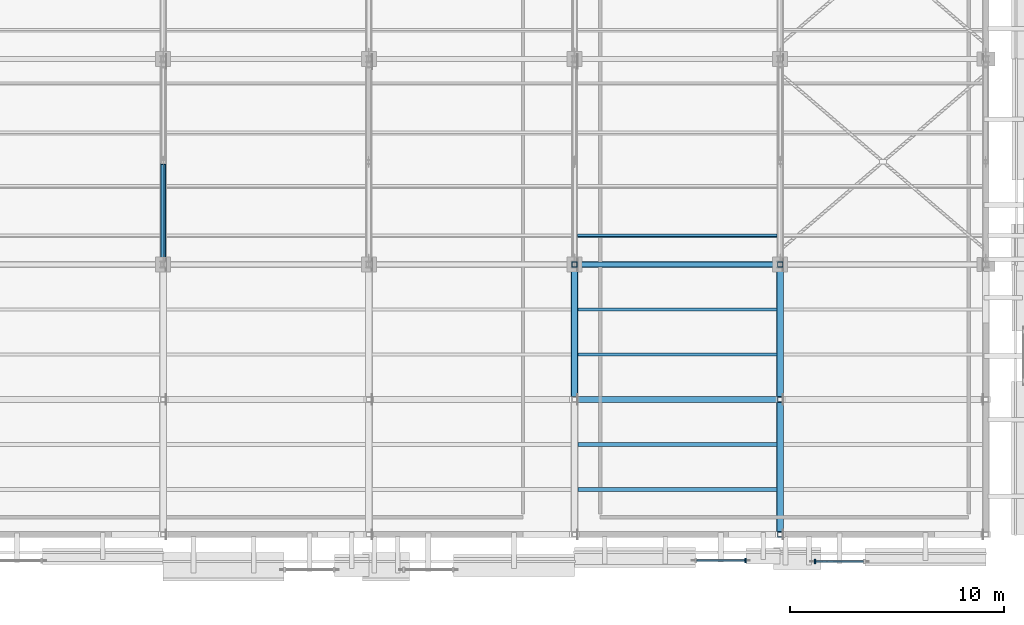
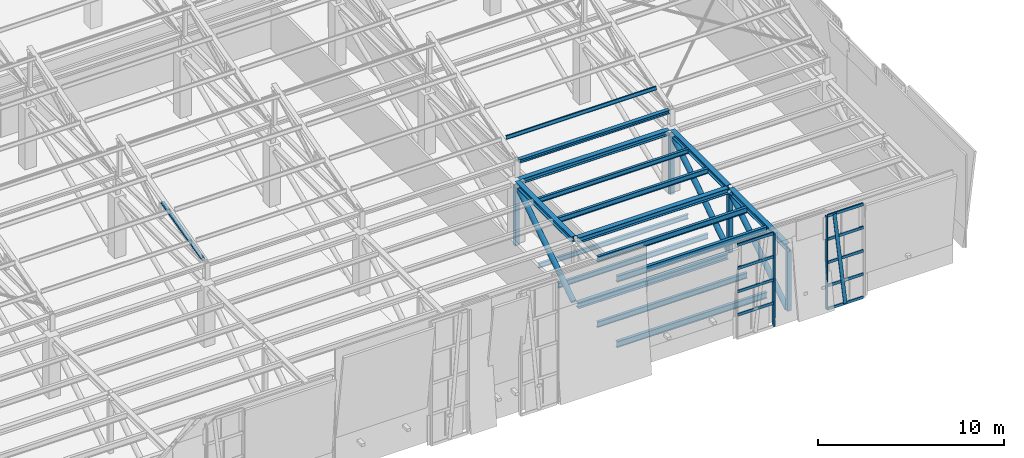
# One storey, part 16 of 71: 24 members, 12 beams, 2 elements without a shape of their own.
"""IFC4 building model written with IfcOpenShell, lengths in metres."""

from ifc_helpers import new_model, si_unit, direction, frame, origin, origin_2d, place, context, subcontext, project, spatial, rectangle, hollow_rectangle, hollow_circle, i_section, extrude, material, layer, layer_set, material_profile, profile_set, type_object, element, aggregate, save


model = new_model("IFC4")

# Units and contexts
model_context = context("Model", 3, precision=1e-05, world=origin(), true_north=direction((0.0, 1.0)))
body_context = subcontext(model_context, "Body", "Model", "MODEL_VIEW")
ifc_project = project(units=[si_unit("LENGTHUNIT", "METRE"), si_unit("AREAUNIT", "SQUARE_METRE"), si_unit("VOLUMEUNIT", "CUBIC_METRE"), si_unit("PLANEANGLEUNIT", "RADIAN"), si_unit("MASSUNIT", "GRAM", prefix="KILO")], contexts=[model_context])

# Site, building, storey
site_placement = place(None, origin())
site = spatial("IfcSite", under=ifc_project, at=site_placement, CompositionType="ELEMENT")
building_placement = place(site_placement, origin())
building = spatial("IfcBuilding", under=site, at=building_placement, Name="Bempovik Park Faculty of Sciences", CompositionType="ELEMENT")
storey_placement = place(building_placement, frame((0.0, 0.0, 14.10009765625)))
storey = spatial("IfcBuildingStorey", under=building, at=storey_placement, Name="L03", CompositionType="ELEMENT", Elevation=14.10009765625)

# Beams
ifc_material_1 = material(Name="Steel S355", Category="steel")
ifc_material_profile_1 = material_profile(ifc_material_1, i_section(OverallWidth=0.300048828125, OverallDepth=0.320068359375, WebThickness=0.011474609375, FlangeThickness=0.0205078125, at=origin_2d()), Name="HEB 320")
ifc_profile_set_1 = profile_set([ifc_material_profile_1], Name="Steel S355")
beam_type_1 = type_object("IfcBeamType", Name="B-018 HEB 320", PredefinedType="BEAM", material=ifc_profile_set_1)
beam_1_placement = place(storey_placement, frame((98.555908203125, 19.800048828125, 3.81982421875), z_axis=(1.0, 0.0, 0.0), x_axis=(0.0, 1.0, 0.0)))
element("IfcBeam", 1, at=beam_1_placement, inside=storey, type_object=beam_type_1, Name="Cantilever Collector Beam APR (98.4-108.0, y=19.8)", PredefinedType="BEAM", context=body_context, shape_type="SweptSolid", body=[
    extrude(i_section(OverallWidth=0.300048828125, OverallDepth=0.320068359375, WebThickness=0.011474609375, FlangeThickness=0.0205078125, at=origin_2d()), origin(), (0.0, 0.0, 1.0), 9.2880859375),
])
ifc_material_profile_2 = material_profile(ifc_material_1, i_section(OverallWidth=0.239990234375, OverallDepth=0.239990234375, WebThickness=0.010009765625, FlangeThickness=0.01708984375, at=origin_2d()), Name="HEB 240")
ifc_profile_set_2 = profile_set([ifc_material_profile_2], Name="Steel S355")
beam_type_2 = type_object("IfcBeamType", Name="B-042 HEB 240", PredefinedType="BEAM", material=ifc_profile_set_2)
beam_2_placement = place(storey_placement, frame((98.550048828125, 19.800048828125, 5.14990234375), z_axis=(1.0, 0.0, 0.0), x_axis=(0.0, 1.0, 0.0)))
element("IfcBeam", 2, at=beam_2_placement, inside=storey, type_object=beam_type_2, Name="Sawtooth Valley Tie Beam V1-B1 (98.4-108.0)", PredefinedType="BEAM", context=body_context, shape_type="SweptSolid", body=[
    extrude(i_section(OverallWidth=0.239990234375, OverallDepth=0.239990234375, WebThickness=0.010009765625, FlangeThickness=0.01708984375, at=origin_2d()), origin(), (0.0, 0.0, 1.0), 9.300048828125),
])
ifc_material_profile_3 = material_profile(ifc_material_1, i_section(OverallWidth=0.14990234375, OverallDepth=0.300048828125, WebThickness=0.007080078125, FlangeThickness=0.0107421875, at=origin_2d()), Name="IPE 300")
ifc_profile_set_3 = profile_set([ifc_material_profile_3], Name="Steel S355")
beam_type_3 = type_object("IfcBeamType", Name="B-043 IPE 300", PredefinedType="JOIST", material=ifc_profile_set_3)
for number, where, z_axis, x_axis, name in (
    (3, (98.555908203125, 17.699951171875, -0.4501953125), (1.0, 0.0, 0.0), (0.0, 1.0, 0.0), "Cantilever Floor Joist L03 (98.4-108.0, y=17.7)"),
    (4, (98.555908203125, 17.699951171875, 3.829833984375), (1.0, 0.0, 0.0), (0.0, 1.0, 0.0), "Cantilever Floor Joist APR (98.4-108.0, y=17.7)"),
):
    element("IfcBeam", number, at=place(storey_placement, frame(where, z_axis=z_axis, x_axis=x_axis)), inside=storey, type_object=beam_type_3, Name=name, PredefinedType="JOIST", context=body_context, shape_type="SweptSolid", body=[
        extrude(i_section(OverallWidth=0.14990234375, OverallDepth=0.300048828125, WebThickness=0.007080078125, FlangeThickness=0.0107421875, at=origin_2d()), origin(), (0.0, 0.0, 1.0), 9.2880859375),
    ])
ifc_material_profile_4 = material_profile(ifc_material_1, i_section(OverallWidth=0.300048828125, OverallDepth=0.360107421875, WebThickness=0.012451171875, FlangeThickness=0.0224609375, at=origin_2d()), Name="HEB 360")
ifc_profile_set_4 = profile_set([ifc_material_profile_4], Name="Steel S355")
beam_type_4 = type_object("IfcBeamType", Name="B-102 HEB 360", PredefinedType="BEAM", material=ifc_profile_set_4)
for number, where, z_axis, x_axis, name in (
    (5, (98.555908203125, 13.5, -0.47998046875), (1.0, 0.0, 0.0), (0.0, 1.0, 0.0), "Cantilever Collector Beam L03 (98.4-108.0, y=13.5)"),
    (6, (98.555908203125, 13.5, 3.7998046875), (1.0, 0.0, 0.0), (0.0, 1.0, 0.0), "Cantilever Collector Beam APR (98.4-108.0, y=13.5)"),
):
    element("IfcBeam", number, at=place(storey_placement, frame(where, z_axis=z_axis, x_axis=x_axis)), inside=storey, type_object=beam_type_4, Name=name, PredefinedType="BEAM", context=body_context, shape_type="SweptSolid", body=[
        extrude(i_section(OverallWidth=0.300048828125, OverallDepth=0.360107421875, WebThickness=0.012451171875, FlangeThickness=0.0224609375, at=origin_2d()), origin(), (0.0, 0.0, 1.0), 9.2880859375),
    ])
ifc_material_profile_5 = material_profile(ifc_material_1, i_section(OverallWidth=0.169921875, OverallDepth=0.360107421875, WebThickness=0.008056640625, FlangeThickness=0.0126953125, at=origin_2d()), Name="IPE 360")
ifc_profile_set_5 = profile_set([ifc_material_profile_5], Name="Steel S355")
beam_type_5 = type_object("IfcBeamType", Name="B-103 IPE 360", PredefinedType="JOIST", material=ifc_profile_set_5)
for number, where, z_axis, x_axis, name in (
    (7, (98.555908203125, 11.39990234375, -0.47998046875), (1.0, 0.0, 0.0), (0.0, 1.0, 0.0), "Cantilever Floor Joist L03 (98.4-108.0, y=11.4)"),
    (8, (98.555908203125, 11.39990234375, 3.7998046875), (1.0, 0.0, 0.0), (0.0, 1.0, 0.0), "Cantilever Floor Joist APR (98.4-108.0, y=11.4)"),
):
    element("IfcBeam", number, at=place(storey_placement, frame(where, z_axis=z_axis, x_axis=x_axis)), inside=storey, type_object=beam_type_5, Name=name, PredefinedType="JOIST", context=body_context, shape_type="SweptSolid", body=[
        extrude(i_section(OverallWidth=0.169921875, OverallDepth=0.360107421875, WebThickness=0.008056640625, FlangeThickness=0.0126953125, at=origin_2d()), origin(), (0.0, 0.0, 1.0), 9.2880859375),
    ])
ifc_material_profile_6 = material_profile(ifc_material_1, i_section(OverallWidth=0.179931640625, OverallDepth=0.39990234375, WebThickness=0.008544921875, FlangeThickness=0.013427734375, at=origin_2d()), Name="IPE 400")
ifc_profile_set_6 = profile_set([ifc_material_profile_6], Name="Steel S355")
beam_type_6 = type_object("IfcBeamType", Name="B-111 IPE 400", PredefinedType="BEAM", material=ifc_profile_set_6)
for number, where, z_axis, x_axis, name in (
    (9, (98.555908203125, 9.300048828125, -0.5), (1.0, 0.0, 0.0), (0.0, 1.0, 0.0), "Cantilever Floor Joist L03 (98.4-108.0, y=9.3)"),
    (10, (98.555908203125, 9.300048828125, 3.77978515625), (1.0, 0.0, 0.0), (0.0, 1.0, 0.0), "Cantilever Floor Joist APR (98.4-108.0, y=9.3)"),
):
    element("IfcBeam", number, at=place(storey_placement, frame(where, z_axis=z_axis, x_axis=x_axis)), inside=storey, type_object=beam_type_6, Name=name, PredefinedType="BEAM", context=body_context, shape_type="SweptSolid", body=[
        extrude(i_section(OverallWidth=0.179931640625, OverallDepth=0.39990234375, WebThickness=0.008544921875, FlangeThickness=0.013427734375, at=origin_2d()), origin(), (0.0, 0.0, 1.0), 9.2880859375),
    ])
ifc_material_profile_7 = material_profile(ifc_material_1, i_section(OverallWidth=0.159912109375, OverallDepth=0.330078125, WebThickness=0.007568359375, FlangeThickness=0.011474609375, at=origin_2d()), Name="IPE 330")
ifc_profile_set_7 = profile_set([ifc_material_profile_7], Name="Steel S355")
beam_type_7 = type_object("IfcBeamType", Name="B-126 IPE 330", PredefinedType="BEAM", material=ifc_profile_set_7)
for number, where, z_axis, x_axis, name in (
    (11, (98.555908203125, 15.60009765625, -0.465087890625), (1.0, 0.0, 0.0), (0.0, 1.0, 0.0), "Cantilever Floor Joist L03 (98.4-108.0, y=15.6)"),
    (12, (98.555908203125, 15.60009765625, 3.81494140625), (1.0, 0.0, 0.0), (0.0, 1.0, 0.0), "Cantilever Floor Joist APR (98.4-108.0, y=15.6)"),
):
    element("IfcBeam", number, at=place(storey_placement, frame(where, z_axis=z_axis, x_axis=x_axis)), inside=storey, type_object=beam_type_7, Name=name, PredefinedType="BEAM", context=body_context, shape_type="SweptSolid", body=[
        extrude(i_section(OverallWidth=0.159912109375, OverallDepth=0.330078125, WebThickness=0.007568359375, FlangeThickness=0.011474609375, at=origin_2d()), origin(), (0.0, 0.0, 1.0), 9.2880859375),
    ])

# Members
ifc_material_profile_8 = material_profile(ifc_material_1, i_section(OverallWidth=0.110107421875, OverallDepth=0.219970703125, WebThickness=0.005859375, FlangeThickness=0.00927734375, at=origin_2d()), Name="IPE 220")
ifc_profile_set_8 = profile_set([ifc_material_profile_8], Name="Steel S355")
member_type_1 = type_object("IfcMemberType", Name="M-18 IPE 220", PredefinedType="PURLIN", material=ifc_profile_set_8)
member_1_placement = place(storey_placement, frame((98.5458984375, 21.14404296875, 5.847412109375), z_axis=(1.0, 0.0, 0.0), x_axis=(0.0, 0.965925826289, -0.258819045103)))
element("IfcMember", 13, at=member_1_placement, inside=storey, type_object=member_type_1, Name="Sawtooth Roof Purlin V1-B1 (98.4-108.0) #1", PredefinedType="PURLIN", context=body_context, shape_type="SweptSolid", body=[
    extrude(i_section(OverallWidth=0.110107421875, OverallDepth=0.219970703125, WebThickness=0.005859375, FlangeThickness=0.00927734375, at=origin_2d()), origin(), (0.0, 0.0, 1.0), 9.30810546875),
])
ifc_material_profile_9 = material_profile(ifc_material_1, i_section(OverallWidth=0.300048828125, OverallDepth=0.360107421875, WebThickness=0.012451171875, FlangeThickness=0.0224609375, at=origin_2d()), Name="HEB 360")
ifc_profile_set_9 = profile_set([ifc_material_profile_9], Name="Steel S355")
member_type_2 = type_object("IfcMemberType", Name="M-23 HEB 360", PredefinedType="CHORD", material=ifc_profile_set_9)
for number, where, z_axis, x_axis, name in (
    (14, (98.39990234375, 13.632080078125, 3.7998046875), (0.0, 1.0, 0.0), (-1.0, 0.0, 0.0), "Cantilever Truss 5 Top Chord 2"),
    (15, (108.0, 7.33203125, 3.7998046875), (0.0, 1.0, 0.0), (-1.0, 0.0, 0.0), "Cantilever Truss 6 Top Chord 1"),
    (16, (108.0, 13.632080078125, 3.7998046875), (0.0, 1.0, 0.0), (-1.0, 0.0, 0.0), "Cantilever Truss 6 Top Chord 2"),
):
    element("IfcMember", number, at=place(storey_placement, frame(where, z_axis=z_axis, x_axis=x_axis)), inside=storey, type_object=member_type_2, Name=name, PredefinedType="CHORD", context=body_context, shape_type="SweptSolid", body=[
        extrude(i_section(OverallWidth=0.300048828125, OverallDepth=0.360107421875, WebThickness=0.012451171875, FlangeThickness=0.0224609375, at=origin_2d()), origin(), (0.0, 0.0, 1.0), 6.035888671875),
    ])
ifc_material_profile_10 = material_profile(ifc_material_1, hollow_circle(Radius=0.161865234375, WallThickness=0.01611328125, at=origin_2d()), Name="CHS 323.9x16")
ifc_profile_set_10 = profile_set([ifc_material_profile_10], Name="Steel S355")
member_type_3 = type_object("IfcMemberType", Name="M-38 CHS 323.9x16", PredefinedType="BRACE", material=ifc_profile_set_10)
for number, where, z_axis, x_axis, name in (
    (17, (98.39990234375, 13.635009765625, -0.294189453125), (0.0, 0.83916246283, 0.543880833434), (-1.0, 0.0, 0.0), "Cantilever Truss 5 L03 Diagonal 2"),
    (18, (108.0, 7.3349609375, -0.294189453125), (0.0, 0.83916246283, 0.543880833434), (-1.0, 0.0, 0.0), "Cantilever Truss 6 L03 Diagonal 1"),
    (19, (108.0, 13.635009765625, -0.294189453125), (0.0, 0.83916246283, 0.543880833434), (-1.0, 0.0, 0.0), "Cantilever Truss 6 L03 Diagonal 2"),
):
    element("IfcMember", number, at=place(storey_placement, frame(where, z_axis=z_axis, x_axis=x_axis)), inside=storey, type_object=member_type_3, Name=name, PredefinedType="BRACE", context=body_context, shape_type="SweptSolid", body=[
        extrude(hollow_circle(Radius=0.161865234375, WallThickness=0.01611328125, at=origin_2d()), origin(), (0.0, 0.0, 1.0), 7.185791015625),
    ])
ifc_material_profile_11 = material_profile(ifc_material_1, hollow_rectangle(XDim=0.25, YDim=0.25, WallThickness=0.012451171875, at=origin_2d()), Name="SHS 250x250x12.5")
ifc_profile_set_11 = profile_set([ifc_material_profile_11], Name="Steel S355")
member_type_4 = type_object("IfcMemberType", Name="M-64 SHS 250x250x12.5", PredefinedType="POST", material=ifc_profile_set_11)
for number, where, z_axis, x_axis, name in (
    (20, (98.39990234375, 19.800048828125, -0.294189453125), (0.0, 0.0, 1.0), (1.0, 0.0, 0.0), "Cantilever Truss 5 L03 Post 3"),
    (21, (108.0, 7.199951171875, -0.294189453125), (0.0, 0.0, 1.0), (1.0, 0.0, 0.0), "Cantilever Truss 6 L03 Post 1"),
    (22, (108.0, 13.5, -0.294189453125), (0.0, 0.0, 1.0), (1.0, 0.0, 0.0), "Cantilever Truss 6 L03 Post 2"),
    (23, (108.0, 19.800048828125, -0.294189453125), (0.0, 0.0, 1.0), (1.0, 0.0, 0.0), "Cantilever Truss 6 L03 Post 3"),
):
    element("IfcMember", number, at=place(storey_placement, frame(where, z_axis=z_axis, x_axis=x_axis)), inside=storey, type_object=member_type_4, Name=name, PredefinedType="POST", context=body_context, shape_type="SweptSolid", body=[
        extrude(hollow_rectangle(XDim=0.25, YDim=0.25, WallThickness=0.012451171875, at=origin_2d()), origin(), (0.0, 0.0, 1.0), 3.908203125),
    ])
ifc_material_profile_12 = material_profile(ifc_material_1, hollow_circle(Radius=0.122314453125, WallThickness=0.010009765625, at=origin_2d()), Name="CHS 244.5x10")
ifc_profile_set_12 = profile_set([ifc_material_profile_12], Name="Steel S355")
member_type_5 = type_object("IfcMemberType", Name="M-82 CHS 244.5x10", PredefinedType="BRACE", material=ifc_profile_set_12)
member_2_placement = place(storey_placement, frame((79.199951171875, 20.1298828125, 5.285888671875), z_axis=(0.0, 0.972142472623, 0.23439072704), x_axis=(-1.0, 0.0, 0.0)))
element("IfcMember", 24, at=member_2_placement, inside=storey, type_object=member_type_5, Name="Sawtooth Web Diagonal 1 V1-B1 (79.2)", PredefinedType="BRACE", context=body_context, shape_type="SweptSolid", body=[
    extrude(hollow_circle(Radius=0.122314453125, WallThickness=0.010009765625, at=origin_2d()), origin(), (0.0, 0.0, 1.0), 4.490234375),
])

# Curtain wall, member
ifc_material_2 = material(Name="Tempered laminated low-E glass", Category="glass")
ifc_layer = layer(ifc_material_2, 0.159912109375)
ifc_layer_set = layer_set([ifc_layer], Name="Tempered laminated low-E glass")
curtain_wall_type = type_object("IfcCurtainWallType", Name="CW-33 Curtain 2400x4000", PredefinedType="USERDEFINED", material=ifc_layer_set)
curtain_wall_1_placement = place(storey_placement, origin())
curtain_wall_1 = element("IfcCurtainWall", 25, at=curtain_wall_1_placement, inside=storey, type_object=curtain_wall_type, Name="L03 Crystal Slantwise Light Fold (7.2,98.4)", ObjectType="UNITISED CURTAIN WALL", PredefinedType="USERDEFINED")
ifc_material_3 = material(Name="Anodised architectural bronze", Category="aluminium")
ifc_material_profile_13 = material_profile(ifc_material_3, rectangle(XDim=0.080078125, YDim=0.219970703125, at=origin_2d()), Name="ALU-M 80x220")
ifc_profile_set_13 = profile_set([ifc_material_profile_13], Name="Anodised architectural bronze")
member_type_6 = type_object("IfcMemberType", Name="ML-29 ALU-M 80x220", PredefinedType="MULLION", material=ifc_profile_set_13)
member_3_placement = place(storey_placement, frame((106.375, 5.98779296875, -0.0400390625), z_axis=(0.0, 0.0, 1.0), x_axis=(1.0, 0.0, 0.0)))
member_3 = element("IfcMember", 26, at=member_3_placement, type_object=member_type_6, Name="CW-FOLD-L03-72-984 Mullion 2", PredefinedType="MULLION", context=body_context, shape_type="SweptSolid", body=[
    extrude(rectangle(XDim=0.080078125, YDim=0.219970703125, at=origin_2d()), origin(), (0.0, 0.0, 1.0), 6.08984375),
])

# Curtain wall, members
curtain_wall_2_placement = place(storey_placement, origin())
curtain_wall_2 = element("IfcCurtainWall", 27, at=curtain_wall_2_placement, inside=storey, type_object=curtain_wall_type, Name="L03 Crystal Slantwise Light Fold (7.2,108.0)", ObjectType="UNITISED CURTAIN WALL", PredefinedType="USERDEFINED")
member_4_placement = place(storey_placement, frame((109.625, 5.935302734375, -0.0400390625), z_axis=(0.0, 0.0, 1.0), x_axis=(1.0, 0.0, 0.0)))
member_4 = element("IfcMember", 28, at=member_4_placement, type_object=member_type_6, Name="CW-FOLD-L03-72-1080 Mullion 0", PredefinedType="MULLION", context=body_context, shape_type="SweptSolid", body=[
    extrude(rectangle(XDim=0.080078125, YDim=0.219970703125, at=origin_2d()), origin(), (0.0, 0.0, 1.0), 6.08984375),
])
member_5_placement = place(storey_placement, frame((110.77490234375, 5.935302734375, -0.0400390625), z_axis=(-0.11096063479, 0.0, 0.99382480223), x_axis=(0.0, -1.0, 0.0)))
member_5 = element("IfcMember", 29, at=member_5_placement, type_object=member_type_6, Name="CW-FOLD-L03-72-1080 Mullion 1", PredefinedType="MULLION", context=body_context, shape_type="SweptSolid", body=[
    extrude(rectangle(XDim=0.080078125, YDim=0.219970703125, at=origin_2d()), origin(), (0.0, 0.0, 1.0), 6.127685546875),
])

# Member
ifc_material_profile_14 = material_profile(ifc_material_3, rectangle(XDim=0.080078125, YDim=0.179931640625, at=origin_2d()), Name="ALU-T 80x180")
ifc_profile_set_14 = profile_set([ifc_material_profile_14], Name="Anodised architectural bronze")
member_type_7 = type_object("IfcMemberType", Name="TR-29 ALU-T 80x180", PredefinedType="USERDEFINED", material=ifc_profile_set_14)
member_6_placement = place(storey_placement, frame((104.114990234375, 5.98779296875, 1.482421875), z_axis=(1.0, 0.0, 0.0), x_axis=(0.0, 1.0, 0.0)))
member_6 = element("IfcMember", 30, at=member_6_placement, type_object=member_type_7, Name="CW-FOLD-L03-72-984 Transom 1", ObjectType="TRANSOM", PredefinedType="USERDEFINED", context=body_context, shape_type="SweptSolid", body=[
    extrude(rectangle(XDim=0.080078125, YDim=0.179931640625, at=origin_2d()), origin(), (0.0, 0.0, 1.0), 2.219970703125),
])

member_7_placement = place(storey_placement, frame((104.114990234375, 5.98779296875, 3.0048828125), z_axis=(1.0, 0.0, 0.0), x_axis=(0.0, 1.0, 0.0)))
member_7 = element("IfcMember", 31, at=member_7_placement, type_object=member_type_7, Name="CW-FOLD-L03-72-984 Transom 2", ObjectType="TRANSOM", PredefinedType="USERDEFINED", context=body_context, shape_type="SweptSolid", body=[
    extrude(rectangle(XDim=0.080078125, YDim=0.179931640625, at=origin_2d()), origin(), (0.0, 0.0, 1.0), 2.219970703125),
])

member_8_placement = place(storey_placement, frame((104.114990234375, 5.98779296875, 4.52734375), z_axis=(1.0, 0.0, 0.0), x_axis=(0.0, 1.0, 0.0)))
member_8 = element("IfcMember", 32, at=member_8_placement, type_object=member_type_7, Name="CW-FOLD-L03-72-984 Transom 3", ObjectType="TRANSOM", PredefinedType="USERDEFINED", context=body_context, shape_type="SweptSolid", body=[
    extrude(rectangle(XDim=0.080078125, YDim=0.179931640625, at=origin_2d()), origin(), (0.0, 0.0, 1.0), 2.219970703125),
])

member_9_placement = place(storey_placement, frame((104.114990234375, 5.98779296875, 6.0498046875), z_axis=(1.0, 0.0, 0.0), x_axis=(0.0, 1.0, 0.0)))
member_9 = element("IfcMember", 33, at=member_9_placement, type_object=member_type_7, Name="CW-FOLD-L03-72-984 Transom 4", ObjectType="TRANSOM", PredefinedType="USERDEFINED", context=body_context, shape_type="SweptSolid", body=[
    extrude(rectangle(XDim=0.080078125, YDim=0.179931640625, at=origin_2d()), origin(), (0.0, 0.0, 1.0), 2.219970703125),
])

aggregate(curtain_wall_1, [member_3, member_6, member_7, member_8, member_9])

member_10_placement = place(storey_placement, frame((109.6650390625, 5.935302734375, -0.0400390625), z_axis=(1.0, 0.0, 0.0), x_axis=(0.0, 1.0, 0.0)))
member_10 = element("IfcMember", 34, at=member_10_placement, type_object=member_type_7, Name="CW-FOLD-L03-72-1080 Transom 0", ObjectType="TRANSOM", PredefinedType="USERDEFINED", context=body_context, shape_type="SweptSolid", body=[
    extrude(rectangle(XDim=0.080078125, YDim=0.179931640625, at=origin_2d()), origin(), (0.0, 0.0, 1.0), 2.219970703125),
])

member_11_placement = place(storey_placement, frame((109.6650390625, 5.935302734375, 1.482421875), z_axis=(1.0, 0.0, 0.0), x_axis=(0.0, 1.0, 0.0)))
member_11 = element("IfcMember", 35, at=member_11_placement, type_object=member_type_7, Name="CW-FOLD-L03-72-1080 Transom 1", ObjectType="TRANSOM", PredefinedType="USERDEFINED", context=body_context, shape_type="SweptSolid", body=[
    extrude(rectangle(XDim=0.080078125, YDim=0.179931640625, at=origin_2d()), origin(), (0.0, 0.0, 1.0), 2.219970703125),
])

member_12_placement = place(storey_placement, frame((109.6650390625, 5.935302734375, 3.0048828125), z_axis=(1.0, 0.0, 0.0), x_axis=(0.0, 1.0, 0.0)))
member_12 = element("IfcMember", 36, at=member_12_placement, type_object=member_type_7, Name="CW-FOLD-L03-72-1080 Transom 2", ObjectType="TRANSOM", PredefinedType="USERDEFINED", context=body_context, shape_type="SweptSolid", body=[
    extrude(rectangle(XDim=0.080078125, YDim=0.179931640625, at=origin_2d()), origin(), (0.0, 0.0, 1.0), 2.219970703125),
])

member_13_placement = place(storey_placement, frame((109.6650390625, 5.935302734375, 4.52734375), z_axis=(1.0, 0.0, 0.0), x_axis=(0.0, 1.0, 0.0)))
member_13 = element("IfcMember", 37, at=member_13_placement, type_object=member_type_7, Name="CW-FOLD-L03-72-1080 Transom 3", ObjectType="TRANSOM", PredefinedType="USERDEFINED", context=body_context, shape_type="SweptSolid", body=[
    extrude(rectangle(XDim=0.080078125, YDim=0.179931640625, at=origin_2d()), origin(), (0.0, 0.0, 1.0), 2.219970703125),
])

member_14_placement = place(storey_placement, frame((109.6650390625, 5.935302734375, 6.0498046875), z_axis=(1.0, 0.0, 0.0), x_axis=(0.0, 1.0, 0.0)))
member_14 = element("IfcMember", 38, at=member_14_placement, type_object=member_type_7, Name="CW-FOLD-L03-72-1080 Transom 4", ObjectType="TRANSOM", PredefinedType="USERDEFINED", context=body_context, shape_type="SweptSolid", body=[
    extrude(rectangle(XDim=0.080078125, YDim=0.179931640625, at=origin_2d()), origin(), (0.0, 0.0, 1.0), 2.219970703125),
])

aggregate(curtain_wall_2, [member_4, member_5, member_10, member_11, member_12, member_13, member_14])

save(model, "model.ifc")
